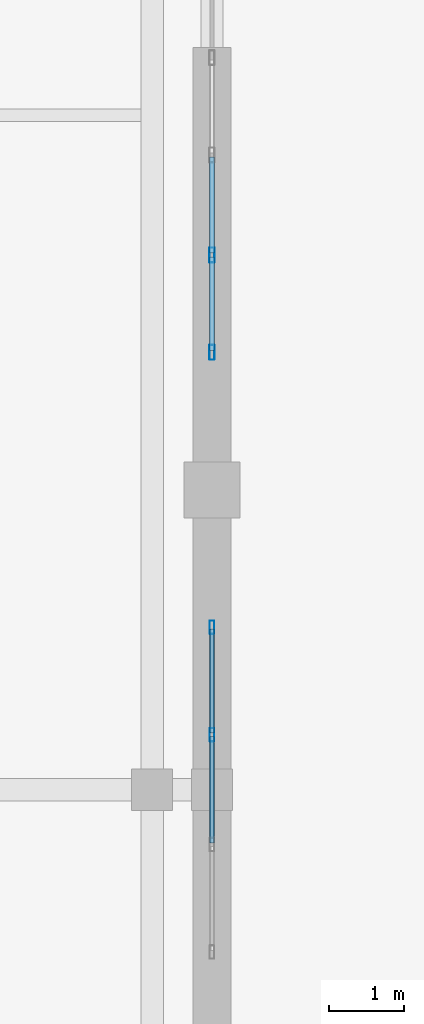
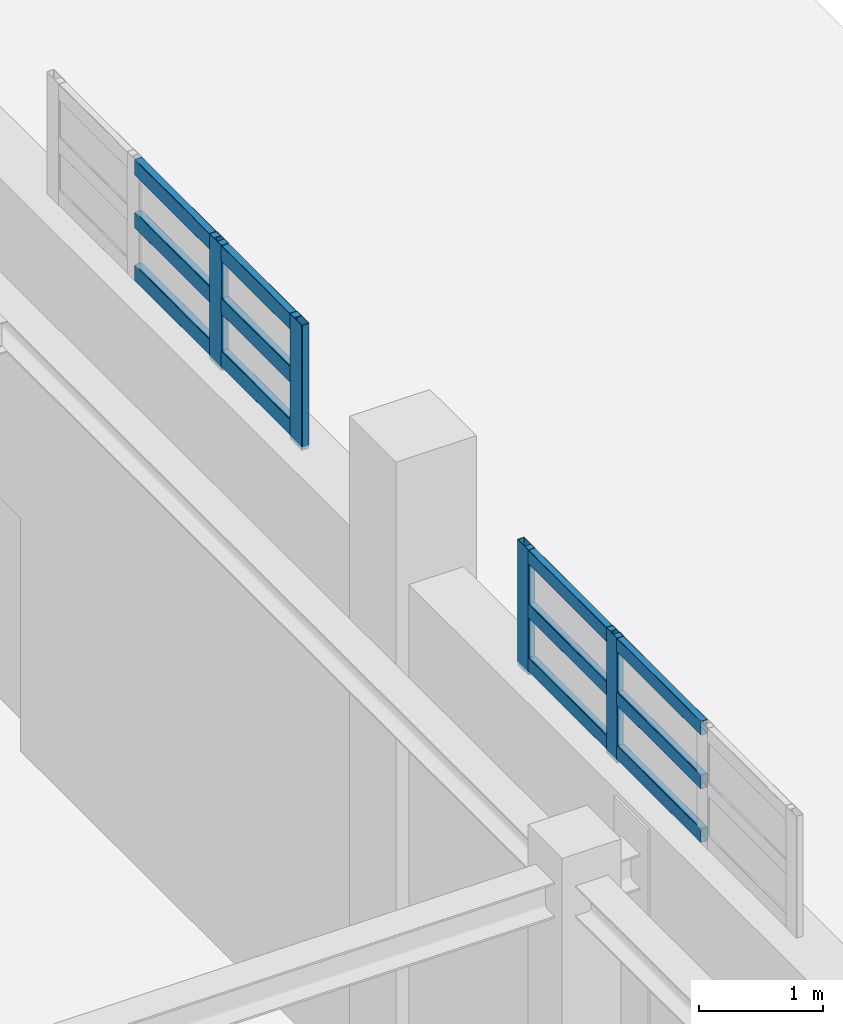
# One storey, part 120 of 197: 16 members, 2 elements without a shape of their own.
"""IFC4 building model written with IfcOpenShell, lengths in metres."""

from ifc_helpers import new_model, si_unit, derived_unit, direction, frame, origin, origin_2d, place, context, subcontext, project, spatial, hollow_rectangle, extrude, material, layer, layer_set, material_profile, profile_set, type_object, element, aggregate, save


model = new_model("IFC4")

# Units and contexts
model_context = context("Model", 3, precision=1e-05, world=origin(), true_north=direction((0.0, 1.0)))
body_context = subcontext(model_context, "Body", "Model", "MODEL_VIEW")
ifc_project = project(units=[si_unit("LENGTHUNIT", "METRE"), si_unit("AREAUNIT", "SQUARE_METRE"), si_unit("VOLUMEUNIT", "CUBIC_METRE"), si_unit("PLANEANGLEUNIT", "RADIAN"), si_unit("MASSUNIT", "GRAM", prefix="KILO"), derived_unit("THERMALTRANSMITTANCEUNIT", [(si_unit("POWERUNIT", "WATT"), 1), (si_unit("LENGTHUNIT", "METRE"), -2), (si_unit("THERMODYNAMICTEMPERATUREUNIT", "KELVIN"), -1)])], contexts=[model_context])

# Site, building, storey
site_placement = place(None, origin())
site = spatial("IfcSite", under=ifc_project, at=site_placement, CompositionType="ELEMENT")
building_placement = place(site_placement, origin())
building = spatial("IfcBuilding", under=site, at=building_placement, Name="Almenara Railside Exhibition Hall", CompositionType="ELEMENT")
storey_placement = place(building_placement, frame((0.0, 0.0, 5.39990234375)))
storey = spatial("IfcBuildingStorey", under=building, at=storey_placement, Name="L01", CompositionType="ELEMENT", Elevation=5.39990234375)

# Curtain wall, members
ifc_material_1 = material(Name="Bronze-anodised aluminium and low-E double glazing", Category="aluminium")
ifc_layer_1 = layer(ifc_material_1, 0.179931640625, Name="Bronze-anodised aluminium and low-E double glazing")
ifc_layer_set_1 = layer_set([ifc_layer_1], Name="Bronze-anodised aluminium and low-E double glazing")
curtain_wall_type_1 = type_object("IfcCurtainWallType", Name="East Hall Clerestory Curtain Wall 4400x2300", PredefinedType="NOTDEFINED", material=ifc_layer_set_1)
curtain_wall_1_placement = place(storey_placement, origin())
curtain_wall_1 = element("IfcCurtainWall", 1, at=curtain_wall_1_placement, inside=storey, type_object=curtain_wall_type_1, Name="Curtain wall CW-CL3-060", PredefinedType="NOTDEFINED")
ifc_material_2 = material(Name="Bronze-anodised aluminium", Category="aluminium")
ifc_material_profile_1 = material_profile(ifc_material_2, hollow_rectangle(XDim=0.06494140625, YDim=0.179931640625, WallThickness=0.00390625, InnerFilletRadius=0.00390625, OuterFilletRadius=0.008056640625, at=origin_2d()), Name="ALU-MUL 65x180x4")
ifc_profile_set_1 = profile_set([ifc_material_profile_1], Name="Bronze-anodised aluminium")
member_type_1 = type_object("IfcMemberType", Name="Curtain Wall Mullion 65x180x4", PredefinedType="MULLION", material=ifc_profile_set_1)
member_1_placement = place(storey_placement, frame((138.0, 72.7333984375, 5.4150390625), z_axis=(0.0, 0.0, 1.0), x_axis=(-1.0, 0.0, 0.0)))
member_1 = element("IfcMember", 2, at=member_1_placement, type_object=member_type_1, Name="CW-CL3-060 mullion 3", PredefinedType="MULLION", context=body_context, shape_type="SweptSolid", body=[
    extrude(hollow_rectangle(XDim=0.06494140625, YDim=0.179931640625, WallThickness=0.00390625, InnerFilletRadius=0.00390625, OuterFilletRadius=0.008056640625, at=origin_2d()), origin(), (0.0, 0.0, 1.0), 1.235107421875),
])
member_2_placement = place(storey_placement, frame((138.0, 74.16748046875, 5.4150390625), z_axis=(0.0, 0.0, 1.0), x_axis=(-1.0, 0.0, 0.0)))
member_2 = element("IfcMember", 3, at=member_2_placement, type_object=member_type_1, Name="CW-CL3-060 mullion 4", PredefinedType="MULLION", context=body_context, shape_type="SweptSolid", body=[
    extrude(hollow_rectangle(XDim=0.06494140625, YDim=0.179931640625, WallThickness=0.00390625, InnerFilletRadius=0.00390625, OuterFilletRadius=0.008056640625, at=origin_2d()), origin(), (0.0, 0.0, 1.0), 1.235107421875),
])

ifc_layer_2 = layer(ifc_material_1, 0.179931640625, Name="Bronze-anodised aluminium and low-E double glazing")
ifc_layer_set_2 = layer_set([ifc_layer_2], Name="Bronze-anodised aluminium and low-E double glazing")
curtain_wall_type_2 = type_object("IfcCurtainWallType", Name="East Hall Clerestory Curtain Wall 4000x2100", PredefinedType="NOTDEFINED", material=ifc_layer_set_2)
curtain_wall_2_placement = place(storey_placement, origin())
curtain_wall_2 = element("IfcCurtainWall", 4, at=curtain_wall_2_placement, inside=storey, type_object=curtain_wall_type_2, Name="Curtain wall CW-CL4-063", PredefinedType="NOTDEFINED")
ifc_material_profile_2 = material_profile(ifc_material_2, hollow_rectangle(XDim=0.070068359375, YDim=0.199951171875, WallThickness=0.00439453125, InnerFilletRadius=0.00439453125, OuterFilletRadius=0.009033203125, at=origin_2d()), Name="ALU-MUL 70x200x4.5")
ifc_profile_set_2 = profile_set([ifc_material_profile_2], Name="Bronze-anodised aluminium")
member_type_2 = type_object("IfcMemberType", Name="Curtain Wall Mullion 70x200x4.5", PredefinedType="MULLION", material=ifc_profile_set_2)
member_3_placement = place(storey_placement, frame((138.0, 77.8349609375, 5.4150390625), z_axis=(0.0, 0.0, 1.0), x_axis=(-1.0, 0.0, 0.0)))
member_3 = element("IfcMember", 5, at=member_3_placement, type_object=member_type_2, Name="CW-CL4-063 mullion 1", PredefinedType="MULLION", context=body_context, shape_type="SweptSolid", body=[
    extrude(hollow_rectangle(XDim=0.070068359375, YDim=0.199951171875, WallThickness=0.00439453125, InnerFilletRadius=0.00439453125, OuterFilletRadius=0.009033203125, at=origin_2d()), origin(), (0.0, 0.0, 1.0), 1.235107421875),
])
member_4_placement = place(storey_placement, frame((138.0, 79.13330078125, 5.4150390625), z_axis=(0.0, 0.0, 1.0), x_axis=(-1.0, 0.0, 0.0)))
member_4 = element("IfcMember", 6, at=member_4_placement, type_object=member_type_2, Name="CW-CL4-063 mullion 2", PredefinedType="MULLION", context=body_context, shape_type="SweptSolid", body=[
    extrude(hollow_rectangle(XDim=0.070068359375, YDim=0.199951171875, WallThickness=0.00439453125, InnerFilletRadius=0.00439453125, OuterFilletRadius=0.009033203125, at=origin_2d()), origin(), (0.0, 0.0, 1.0), 1.235107421875),
])

# Member
ifc_material_profile_3 = material_profile(ifc_material_2, hollow_rectangle(XDim=0.06494140625, YDim=0.139892578125, WallThickness=0.00341796875, InnerFilletRadius=0.00341796875, OuterFilletRadius=0.007080078125, at=origin_2d()), Name="ALU-TRN 65x140x3.5")
ifc_profile_set_3 = profile_set([ifc_material_profile_3], Name="Bronze-anodised aluminium")
member_type_3 = type_object("IfcMemberType", Name="Curtain Wall Transom 65x140x3.5", PredefinedType="USERDEFINED", material=ifc_profile_set_3)
member_5_placement = place(storey_placement, frame((138.0, 71.291259765625, 5.52001953125), z_axis=(0.0, 1.0, 0.0), x_axis=(-1.0, 0.0, 0.0)))
member_5 = element("IfcMember", 7, at=member_5_placement, type_object=member_type_3, Name="CW-CL3-060 transom 2.1", ObjectType="TRANSOM", PredefinedType="USERDEFINED", context=body_context, shape_type="SweptSolid", body=[
    extrude(hollow_rectangle(XDim=0.06494140625, YDim=0.139892578125, WallThickness=0.00341796875, InnerFilletRadius=0.00341796875, OuterFilletRadius=0.007080078125, at=origin_2d()), origin(), (0.0, 0.0, 1.0), 1.41748046875),
])

member_6_placement = place(storey_placement, frame((138.0, 71.291259765625, 6.050048828125), z_axis=(0.0, 1.0, 0.0), x_axis=(-1.0, 0.0, 0.0)))
member_6 = element("IfcMember", 8, at=member_6_placement, type_object=member_type_3, Name="CW-CL3-060 transom 2.2", ObjectType="TRANSOM", PredefinedType="USERDEFINED", context=body_context, shape_type="SweptSolid", body=[
    extrude(hollow_rectangle(XDim=0.06494140625, YDim=0.139892578125, WallThickness=0.00341796875, InnerFilletRadius=0.00341796875, OuterFilletRadius=0.007080078125, at=origin_2d()), origin(), (0.0, 0.0, 1.0), 1.41748046875),
])

member_7_placement = place(storey_placement, frame((138.0, 71.291259765625, 6.580078125), z_axis=(0.0, 1.0, 0.0), x_axis=(-1.0, 0.0, 0.0)))
member_7 = element("IfcMember", 9, at=member_7_placement, type_object=member_type_3, Name="CW-CL3-060 transom 2.3", ObjectType="TRANSOM", PredefinedType="USERDEFINED", context=body_context, shape_type="SweptSolid", body=[
    extrude(hollow_rectangle(XDim=0.06494140625, YDim=0.139892578125, WallThickness=0.00341796875, InnerFilletRadius=0.00341796875, OuterFilletRadius=0.007080078125, at=origin_2d()), origin(), (0.0, 0.0, 1.0), 1.41748046875),
])

member_8_placement = place(storey_placement, frame((138.0, 72.7578125, 5.52001953125), z_axis=(0.0, 1.0, 0.0), x_axis=(-1.0, 0.0, 0.0)))
member_8 = element("IfcMember", 10, at=member_8_placement, type_object=member_type_3, Name="CW-CL3-060 transom 3.1", ObjectType="TRANSOM", PredefinedType="USERDEFINED", context=body_context, shape_type="SweptSolid", body=[
    extrude(hollow_rectangle(XDim=0.06494140625, YDim=0.139892578125, WallThickness=0.00341796875, InnerFilletRadius=0.00341796875, OuterFilletRadius=0.007080078125, at=origin_2d()), origin(), (0.0, 0.0, 1.0), 1.38525390625),
])

member_9_placement = place(storey_placement, frame((138.0, 72.7578125, 6.050048828125), z_axis=(0.0, 1.0, 0.0), x_axis=(-1.0, 0.0, 0.0)))
member_9 = element("IfcMember", 11, at=member_9_placement, type_object=member_type_3, Name="CW-CL3-060 transom 3.2", ObjectType="TRANSOM", PredefinedType="USERDEFINED", context=body_context, shape_type="SweptSolid", body=[
    extrude(hollow_rectangle(XDim=0.06494140625, YDim=0.139892578125, WallThickness=0.00341796875, InnerFilletRadius=0.00341796875, OuterFilletRadius=0.007080078125, at=origin_2d()), origin(), (0.0, 0.0, 1.0), 1.38525390625),
])

member_10_placement = place(storey_placement, frame((138.0, 72.7578125, 6.580078125), z_axis=(0.0, 1.0, 0.0), x_axis=(-1.0, 0.0, 0.0)))
member_10 = element("IfcMember", 12, at=member_10_placement, type_object=member_type_3, Name="CW-CL3-060 transom 3.3", ObjectType="TRANSOM", PredefinedType="USERDEFINED", context=body_context, shape_type="SweptSolid", body=[
    extrude(hollow_rectangle(XDim=0.06494140625, YDim=0.139892578125, WallThickness=0.00341796875, InnerFilletRadius=0.00341796875, OuterFilletRadius=0.007080078125, at=origin_2d()), origin(), (0.0, 0.0, 1.0), 1.38525390625),
])

aggregate(curtain_wall_1, [member_1, member_2, member_5, member_6, member_7, member_8, member_9, member_10])

ifc_material_profile_4 = material_profile(ifc_material_2, hollow_rectangle(XDim=0.070068359375, YDim=0.159912109375, WallThickness=0.00390625, InnerFilletRadius=0.00390625, OuterFilletRadius=0.008056640625, at=origin_2d()), Name="ALU-TRN 70x160x4")
ifc_profile_set_4 = profile_set([ifc_material_profile_4], Name="Bronze-anodised aluminium")
member_type_4 = type_object("IfcMemberType", Name="Curtain Wall Transom 70x160x4", PredefinedType="USERDEFINED", material=ifc_profile_set_4)
member_11_placement = place(storey_placement, frame((138.0, 77.862060546875, 5.530029296875), z_axis=(0.0, 1.0, 0.0), x_axis=(-1.0, 0.0, 0.0)))
member_11 = element("IfcMember", 13, at=member_11_placement, type_object=member_type_4, Name="CW-CL4-063 transom 1.1", ObjectType="TRANSOM", PredefinedType="USERDEFINED", context=body_context, shape_type="SweptSolid", body=[
    extrude(hollow_rectangle(XDim=0.070068359375, YDim=0.159912109375, WallThickness=0.00390625, InnerFilletRadius=0.00390625, OuterFilletRadius=0.008056640625, at=origin_2d()), origin(), (0.0, 0.0, 1.0), 1.244384765625),
])

member_12_placement = place(storey_placement, frame((138.0, 77.862060546875, 6.050048828125), z_axis=(0.0, 1.0, 0.0), x_axis=(-1.0, 0.0, 0.0)))
member_12 = element("IfcMember", 14, at=member_12_placement, type_object=member_type_4, Name="CW-CL4-063 transom 1.2", ObjectType="TRANSOM", PredefinedType="USERDEFINED", context=body_context, shape_type="SweptSolid", body=[
    extrude(hollow_rectangle(XDim=0.070068359375, YDim=0.159912109375, WallThickness=0.00390625, InnerFilletRadius=0.00390625, OuterFilletRadius=0.008056640625, at=origin_2d()), origin(), (0.0, 0.0, 1.0), 1.244384765625),
])

member_13_placement = place(storey_placement, frame((138.0, 77.862060546875, 6.570068359375), z_axis=(0.0, 1.0, 0.0), x_axis=(-1.0, 0.0, 0.0)))
member_13 = element("IfcMember", 15, at=member_13_placement, type_object=member_type_4, Name="CW-CL4-063 transom 1.3", ObjectType="TRANSOM", PredefinedType="USERDEFINED", context=body_context, shape_type="SweptSolid", body=[
    extrude(hollow_rectangle(XDim=0.070068359375, YDim=0.159912109375, WallThickness=0.00390625, InnerFilletRadius=0.00390625, OuterFilletRadius=0.008056640625, at=origin_2d()), origin(), (0.0, 0.0, 1.0), 1.244384765625),
])

member_14_placement = place(storey_placement, frame((138.0, 79.160400390625, 5.530029296875), z_axis=(0.0, 1.0, 0.0), x_axis=(-1.0, 0.0, 0.0)))
member_14 = element("IfcMember", 16, at=member_14_placement, type_object=member_type_4, Name="CW-CL4-063 transom 2.1", ObjectType="TRANSOM", PredefinedType="USERDEFINED", context=body_context, shape_type="SweptSolid", body=[
    extrude(hollow_rectangle(XDim=0.070068359375, YDim=0.159912109375, WallThickness=0.00390625, InnerFilletRadius=0.00390625, OuterFilletRadius=0.008056640625, at=origin_2d()), origin(), (0.0, 0.0, 1.0), 1.279296875),
])

member_15_placement = place(storey_placement, frame((138.0, 79.160400390625, 6.050048828125), z_axis=(0.0, 1.0, 0.0), x_axis=(-1.0, 0.0, 0.0)))
member_15 = element("IfcMember", 17, at=member_15_placement, type_object=member_type_4, Name="CW-CL4-063 transom 2.2", ObjectType="TRANSOM", PredefinedType="USERDEFINED", context=body_context, shape_type="SweptSolid", body=[
    extrude(hollow_rectangle(XDim=0.070068359375, YDim=0.159912109375, WallThickness=0.00390625, InnerFilletRadius=0.00390625, OuterFilletRadius=0.008056640625, at=origin_2d()), origin(), (0.0, 0.0, 1.0), 1.279296875),
])

member_16_placement = place(storey_placement, frame((138.0, 79.160400390625, 6.570068359375), z_axis=(0.0, 1.0, 0.0), x_axis=(-1.0, 0.0, 0.0)))
member_16 = element("IfcMember", 18, at=member_16_placement, type_object=member_type_4, Name="CW-CL4-063 transom 2.3", ObjectType="TRANSOM", PredefinedType="USERDEFINED", context=body_context, shape_type="SweptSolid", body=[
    extrude(hollow_rectangle(XDim=0.070068359375, YDim=0.159912109375, WallThickness=0.00390625, InnerFilletRadius=0.00390625, OuterFilletRadius=0.008056640625, at=origin_2d()), origin(), (0.0, 0.0, 1.0), 1.279296875),
])

aggregate(curtain_wall_2, [member_3, member_4, member_11, member_12, member_13, member_14, member_15, member_16])

save(model, "model.ifc")
